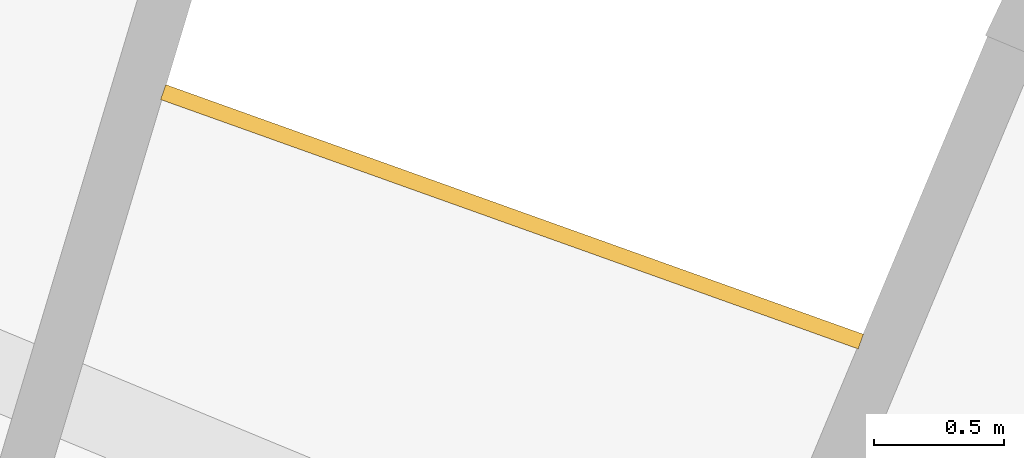
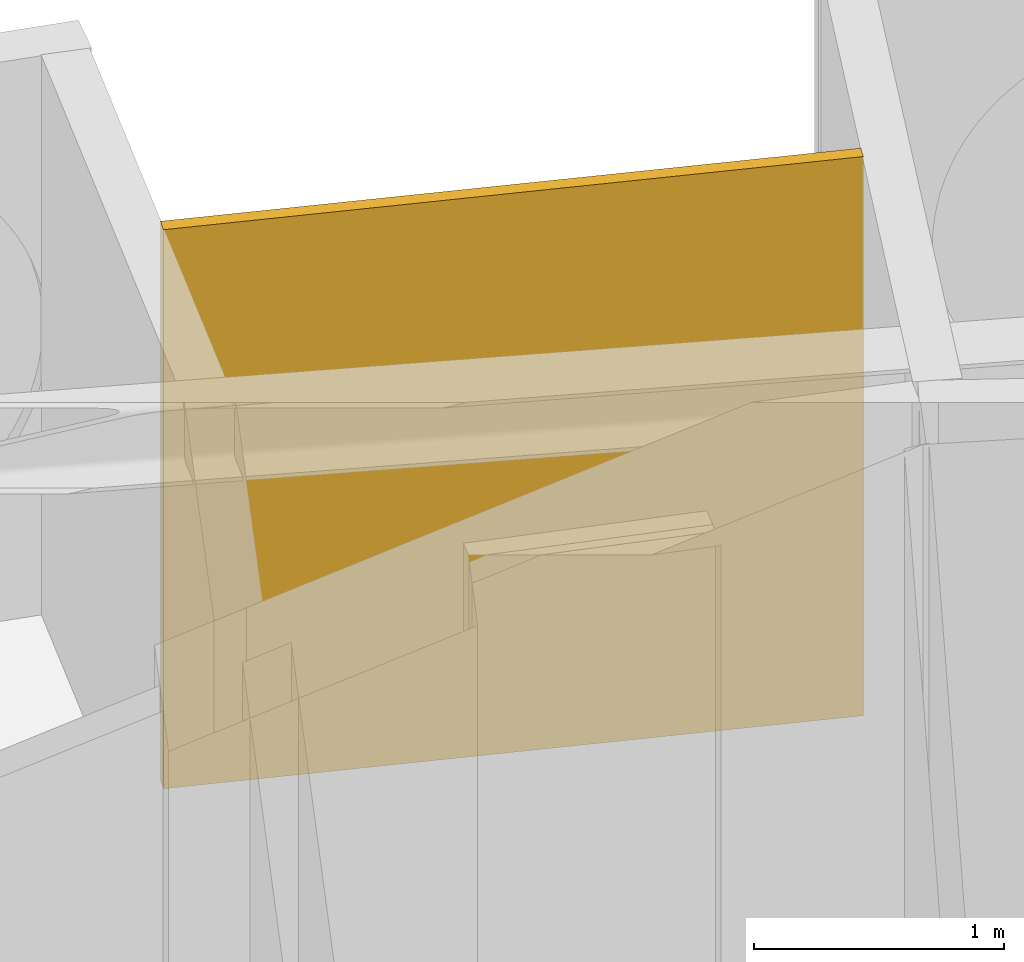
# One storey, part 29 of 29: 1 railing.
"""IFC4 building model written with IfcOpenShell, lengths in metres."""

from ifc_helpers import new_model, si_unit, direction, frame, origin, place, context, subcontext, project, spatial, polyline, outline, extrude, material, layer, layer_set, type_object, element, save


model = new_model("IFC4")

# Units and contexts
model_context = context("Model", 3, precision=1e-05, world=origin(), true_north=direction((0.0, 1.0)))
body_context = subcontext(model_context, "Body", "Model", "MODEL_VIEW")
ifc_project = project(units=[si_unit("LENGTHUNIT", "METRE"), si_unit("AREAUNIT", "SQUARE_METRE"), si_unit("VOLUMEUNIT", "CUBIC_METRE"), si_unit("PLANEANGLEUNIT", "RADIAN"), si_unit("MASSUNIT", "GRAM", prefix="KILO")], contexts=[model_context])

# Site, building, storey
site_placement = place(None, origin())
site = spatial("IfcSite", under=ifc_project, at=site_placement, CompositionType="ELEMENT")
building_placement = place(site_placement, origin())
building = spatial("IfcBuilding", under=site, at=building_placement, Name="Maasbend Ring Residences", CompositionType="ELEMENT")
storey_placement = place(building_placement, frame((0.0, 0.0, 212.699951171875)))
storey = spatial("IfcBuildingStorey", under=building, at=storey_placement, Name="L61", CompositionType="ELEMENT", Elevation=212.699951171875)

# Railing
ifc_material = material(Name="Pale anodised perforated aluminium", Category="aluminium")
ifc_layer = layer(ifc_material, 0.06005859375)
ifc_layer_set = layer_set([ifc_layer], Name="SCREEN-P")
railing_type = type_object("IfcRailingType", Name="SCREEN-P", PredefinedType="GUARDRAIL", material=ifc_layer_set)
railing_placement = place(storey_placement, frame((0.0, 0.0, -0.030029296875)))
element("IfcRailing", 1, at=railing_placement, inside=storey, type_object=railing_type, Name="Perforated screen guard 4", PredefinedType="GUARDRAIL", context=body_context, shape_type="SweptSolid", body=[
    extrude(outline(polyline([(11.097900390625, 26.79296875), (8.41796875, 27.7509765625), (8.43798828125, 27.80810546875), (11.117919921875, 26.84912109375), (11.097900390625, 26.79296875)])), origin(), (0.0, 0.0, 1.0), 2.72998046875),
])

save(model, "model.ifc")
